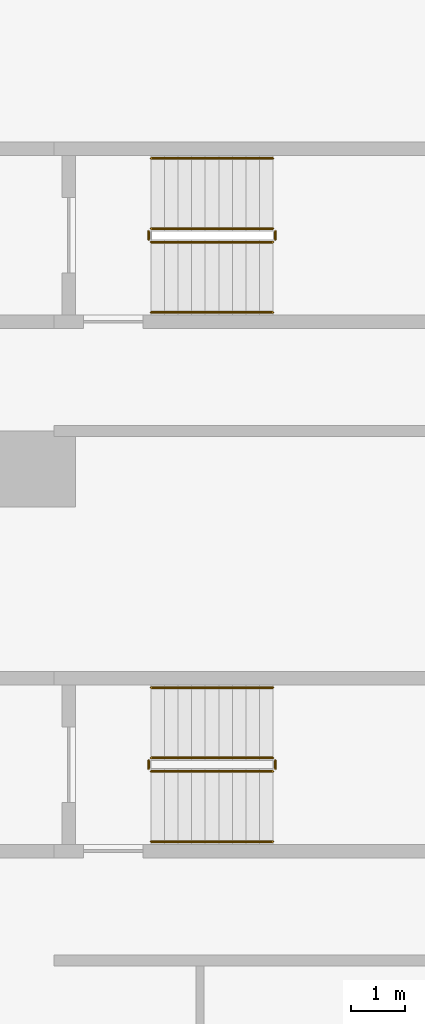
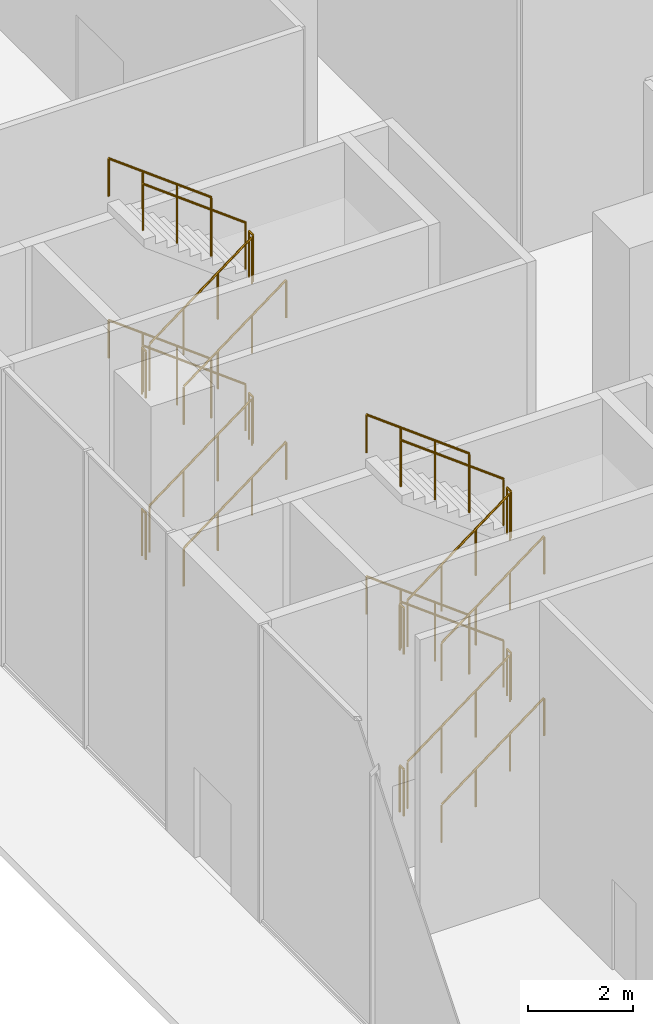
# One storey, part 22 of 26: 24 railings.
"""IFC4 building model written with IfcOpenShell, lengths in metres."""

from ifc_helpers import new_model, si_unit, direction, frame, origin, origin_2d, place, context, subcontext, project, spatial, circle, extrude, source, transform, mapped, material, type_object, element, save


model = new_model("IFC4")

# Units and contexts
model_context = context("Model", 3, precision=1e-05, world=origin(), true_north=direction((0.0, 1.0)))
body_context = subcontext(model_context, "Body", "Model", "MODEL_VIEW")
ifc_project = project(units=[si_unit("LENGTHUNIT", "METRE"), si_unit("AREAUNIT", "SQUARE_METRE"), si_unit("VOLUMEUNIT", "CUBIC_METRE"), si_unit("PLANEANGLEUNIT", "RADIAN"), si_unit("MASSUNIT", "GRAM", prefix="KILO")], contexts=[model_context])

# Site, building, storey
site_placement = place(None, origin())
site = spatial("IfcSite", under=ifc_project, at=site_placement, CompositionType="ELEMENT")
building_placement = place(site_placement, origin())
building = spatial("IfcBuilding", under=site, at=building_placement, Name="Aurelian Terraces", CompositionType="ELEMENT")
storey_placement = place(building_placement, origin())
storey = spatial("IfcBuildingStorey", under=building, at=storey_placement, Name="L00", CompositionType="ELEMENT", Elevation=0.0)

# Railings
ifc_material = material(Name="Stainless steel", Category="steel")
railing_type_1 = type_object("IfcRailingType", Name="Stair guard 1100", PredefinedType="GUARDRAIL", material=ifc_material)
railing_1_placement = place(storey_placement, frame((2.1, 42.0, 0.1875)))
element("IfcRailing", 1, at=railing_1_placement, inside=storey, type_object=railing_type_1, Name="L00 S3 stair guard 1", PredefinedType="GUARDRAIL", context=body_context, shape_type="SweptSolid", body=[
    extrude(circle(Radius=0.024, at=origin_2d()), frame((0.0, 0.0, 1.076), z_axis=(0.8, 0.0, 0.6), x_axis=(0.0, 1.0, 0.0)), (0.0, 0.0, 1.0), 2.8125),
    extrude(circle(Radius=0.021, at=origin_2d()), origin(), (0.0, 0.0, 1.0), 1.052),
    extrude(circle(Radius=0.021, at=origin_2d()), frame((0.75, 0.0, 0.5625)), (0.0, 0.0, 1.0), 1.052),
    extrude(circle(Radius=0.021, at=origin_2d()), frame((1.5, 0.0, 1.125)), (0.0, 0.0, 1.0), 1.052),
    extrude(circle(Radius=0.021, at=origin_2d()), frame((2.25, 0.0, 1.6875)), (0.0, 0.0, 1.0), 1.052),
])
railing_2_placement = place(storey_placement, frame((4.35, 42.25, 2.0625)))
element("IfcRailing", 2, at=railing_2_placement, inside=storey, type_object=railing_type_1, Name="L00 S3 stair guard 3", PredefinedType="GUARDRAIL", context=body_context, shape_type="SweptSolid", body=[
    extrude(circle(Radius=0.024, at=origin_2d()), frame((0.0, 0.0, 1.076), z_axis=(-0.8, 0.0, 0.6), x_axis=(0.0, -1.0, 0.0)), (0.0, 0.0, 1.0), 2.8125),
    extrude(circle(Radius=0.021, at=origin_2d()), origin(), (0.0, 0.0, 1.0), 1.052),
    extrude(circle(Radius=0.021, at=origin_2d()), frame((-0.75, 0.0, 0.5625)), (0.0, 0.0, 1.0), 1.052),
    extrude(circle(Radius=0.021, at=origin_2d()), frame((-1.5, 0.0, 1.125)), (0.0, 0.0, 1.0), 1.052),
    extrude(circle(Radius=0.021, at=origin_2d()), frame((-2.25, 0.0, 1.6875)), (0.0, 0.0, 1.0), 1.052),
])
railing_type_2 = type_object("IfcRailingType", Name="Stair handrail", PredefinedType="HANDRAIL", material=ifc_material)
railing_3_placement = place(storey_placement, frame((2.1, 40.7, 0.1875)))
element("IfcRailing", 3, at=railing_3_placement, inside=storey, type_object=railing_type_2, Name="L00 S3 stair handrail 1", PredefinedType="HANDRAIL", context=body_context, shape_type="SweptSolid", body=[
    extrude(circle(Radius=0.024, at=origin_2d()), frame((0.0, 0.0, 0.876), z_axis=(0.8, 0.0, 0.6), x_axis=(0.0, 1.0, 0.0)), (0.0, 0.0, 1.0), 2.8125),
    extrude(circle(Radius=0.021, at=origin_2d()), origin(), (0.0, 0.0, 1.0), 0.852),
    extrude(circle(Radius=0.021, at=origin_2d()), frame((0.75, 0.0, 0.5625)), (0.0, 0.0, 1.0), 0.852),
    extrude(circle(Radius=0.021, at=origin_2d()), frame((1.5, 0.0, 1.125)), (0.0, 0.0, 1.0), 0.852),
    extrude(circle(Radius=0.021, at=origin_2d()), frame((2.25, 0.0, 1.6875)), (0.0, 0.0, 1.0), 0.852),
])
railing_4_placement = place(storey_placement, frame((4.35, 43.55, 2.0625)))
element("IfcRailing", 4, at=railing_4_placement, inside=storey, type_object=railing_type_2, Name="L00 S3 stair handrail 2", PredefinedType="HANDRAIL", context=body_context, shape_type="SweptSolid", body=[
    extrude(circle(Radius=0.024, at=origin_2d()), frame((0.0, 0.0, 0.876), z_axis=(-0.8, 0.0, 0.6), x_axis=(0.0, -1.0, 0.0)), (0.0, 0.0, 1.0), 2.8125),
    extrude(circle(Radius=0.021, at=origin_2d()), origin(), (0.0, 0.0, 1.0), 0.852),
    extrude(circle(Radius=0.021, at=origin_2d()), frame((-0.75, 0.0, 0.5625)), (0.0, 0.0, 1.0), 0.852),
    extrude(circle(Radius=0.021, at=origin_2d()), frame((-1.5, 0.0, 1.125)), (0.0, 0.0, 1.0), 0.852),
    extrude(circle(Radius=0.021, at=origin_2d()), frame((-2.25, 0.0, 1.6875)), (0.0, 0.0, 1.0), 0.852),
])
shared_shape_1 = source(origin(), body_context, "Body", "SweptSolid", [
    extrude(circle(Radius=0.024, at=origin_2d()), frame((0.0, 0.0, 1.076), z_axis=(0.0, 1.0, 0.0), x_axis=(-1.0, 0.0, 0.0)), (0.0, 0.0, 1.0), 0.15),
    extrude(circle(Radius=0.021, at=origin_2d()), origin(), (0.0, 0.0, 1.0), 1.052),
    extrude(circle(Radius=0.021, at=origin_2d()), frame((0.0, 0.15, 0.0)), (0.0, 0.0, 1.0), 1.052),
])
for number, where, name in (
    (5, (4.4, 42.05, 1.875), "L00 S3 stair guard 2"),
    (6, (2.05, 42.05, 3.75), "L00 S3 stair guard 4"),
    (7, (4.4, 42.05, 5.625), "L00 S3 stair guard 6"),
    (8, (2.05, 42.05, 0.0), "L00 S3 stair guard 8"),
    (9, (4.4, 32.25, 1.875), "L00 S4 stair guard 2"),
    (10, (2.05, 32.25, 3.75), "L00 S4 stair guard 4"),
    (11, (4.4, 32.25, 5.625), "L00 S4 stair guard 6"),
    (12, (2.05, 32.25, 0.0), "L00 S4 stair guard 8"),
):
    element("IfcRailing", number, at=place(storey_placement, frame(where)), inside=storey, type_object=railing_type_1, Name=name, PredefinedType="GUARDRAIL", context=body_context, shape_type="MappedRepresentation", body=[
        mapped(shared_shape_1, transform((0.0, 0.0, 0.0), scale=1.0)),
    ])
shared_shape_2 = source(origin(), body_context, "Body", "SweptSolid", [
    extrude(circle(Radius=0.024, at=origin_2d()), frame((0.0, 0.0, 1.076), z_axis=(0.8, 0.0, 0.6), x_axis=(0.0, 1.0, 0.0)), (0.0, 0.0, 1.0), 2.8125),
    extrude(circle(Radius=0.021, at=origin_2d()), origin(), (0.0, 0.0, 1.0), 1.052),
    extrude(circle(Radius=0.021, at=origin_2d()), frame((0.75, 0.0, 0.5625)), (0.0, 0.0, 1.0), 1.052),
    extrude(circle(Radius=0.021, at=origin_2d()), frame((1.5, 0.0, 1.125)), (0.0, 0.0, 1.0), 1.052),
    extrude(circle(Radius=0.021, at=origin_2d()), frame((2.25, 0.0, 1.6875)), (0.0, 0.0, 1.0), 1.052),
])
for number, where, name in (
    (13, (2.1, 42.0, 3.9375), "L00 S3 stair guard 5"),
    (14, (2.1, 32.2, 0.1875), "L00 S4 stair guard 1"),
    (15, (2.1, 32.2, 3.9375), "L00 S4 stair guard 5"),
):
    element("IfcRailing", number, at=place(storey_placement, frame(where)), inside=storey, type_object=railing_type_1, Name=name, PredefinedType="GUARDRAIL", context=body_context, shape_type="MappedRepresentation", body=[
        mapped(shared_shape_2, transform((0.0, 0.0, 0.0), scale=1.0)),
    ])
shared_shape_3 = source(origin(), body_context, "Body", "SweptSolid", [
    extrude(circle(Radius=0.024, at=origin_2d()), frame((0.0, 0.0, 1.076), z_axis=(-0.8, 0.0, 0.6), x_axis=(0.0, -1.0, 0.0)), (0.0, 0.0, 1.0), 2.8125),
    extrude(circle(Radius=0.021, at=origin_2d()), origin(), (0.0, 0.0, 1.0), 1.052),
    extrude(circle(Radius=0.021, at=origin_2d()), frame((-0.75, 0.0, 0.5625)), (0.0, 0.0, 1.0), 1.052),
    extrude(circle(Radius=0.021, at=origin_2d()), frame((-1.5, 0.0, 1.125)), (0.0, 0.0, 1.0), 1.052),
    extrude(circle(Radius=0.021, at=origin_2d()), frame((-2.25, 0.0, 1.6875)), (0.0, 0.0, 1.0), 1.052),
])
for number, where, name in (
    (16, (4.35, 42.25, 5.8125), "L00 S3 stair guard 7"),
    (17, (4.35, 32.45, 2.0625), "L00 S4 stair guard 3"),
    (18, (4.35, 32.45, 5.8125), "L00 S4 stair guard 7"),
):
    element("IfcRailing", number, at=place(storey_placement, frame(where)), inside=storey, type_object=railing_type_1, Name=name, PredefinedType="GUARDRAIL", context=body_context, shape_type="MappedRepresentation", body=[
        mapped(shared_shape_3, transform((0.0, 0.0, 0.0), scale=1.0)),
    ])
shared_shape_4 = source(origin(), body_context, "Body", "SweptSolid", [
    extrude(circle(Radius=0.024, at=origin_2d()), frame((0.0, 0.0, 0.876), z_axis=(0.8, 0.0, 0.6), x_axis=(0.0, 1.0, 0.0)), (0.0, 0.0, 1.0), 2.8125),
    extrude(circle(Radius=0.021, at=origin_2d()), origin(), (0.0, 0.0, 1.0), 0.852),
    extrude(circle(Radius=0.021, at=origin_2d()), frame((0.75, 0.0, 0.5625)), (0.0, 0.0, 1.0), 0.852),
    extrude(circle(Radius=0.021, at=origin_2d()), frame((1.5, 0.0, 1.125)), (0.0, 0.0, 1.0), 0.852),
    extrude(circle(Radius=0.021, at=origin_2d()), frame((2.25, 0.0, 1.6875)), (0.0, 0.0, 1.0), 0.852),
])
for number, where, name in (
    (19, (2.1, 40.7, 3.9375), "L00 S3 stair handrail 3"),
    (20, (2.1, 30.9, 0.1875), "L00 S4 stair handrail 1"),
    (21, (2.1, 30.9, 3.9375), "L00 S4 stair handrail 3"),
):
    element("IfcRailing", number, at=place(storey_placement, frame(where)), inside=storey, type_object=railing_type_2, Name=name, PredefinedType="HANDRAIL", context=body_context, shape_type="MappedRepresentation", body=[
        mapped(shared_shape_4, transform((0.0, 0.0, 0.0), scale=1.0)),
    ])
shared_shape_5 = source(origin(), body_context, "Body", "SweptSolid", [
    extrude(circle(Radius=0.024, at=origin_2d()), frame((0.0, 0.0, 0.876), z_axis=(-0.8, 0.0, 0.6), x_axis=(0.0, -1.0, 0.0)), (0.0, 0.0, 1.0), 2.8125),
    extrude(circle(Radius=0.021, at=origin_2d()), origin(), (0.0, 0.0, 1.0), 0.852),
    extrude(circle(Radius=0.021, at=origin_2d()), frame((-0.75, 0.0, 0.5625)), (0.0, 0.0, 1.0), 0.852),
    extrude(circle(Radius=0.021, at=origin_2d()), frame((-1.5, 0.0, 1.125)), (0.0, 0.0, 1.0), 0.852),
    extrude(circle(Radius=0.021, at=origin_2d()), frame((-2.25, 0.0, 1.6875)), (0.0, 0.0, 1.0), 0.852),
])
for number, where, name in (
    (22, (4.35, 43.55, 5.8125), "L00 S3 stair handrail 4"),
    (23, (4.35, 33.75, 2.0625), "L00 S4 stair handrail 2"),
    (24, (4.35, 33.75, 5.8125), "L00 S4 stair handrail 4"),
):
    element("IfcRailing", number, at=place(storey_placement, frame(where)), inside=storey, type_object=railing_type_2, Name=name, PredefinedType="HANDRAIL", context=body_context, shape_type="MappedRepresentation", body=[
        mapped(shared_shape_5, transform((0.0, 0.0, 0.0), scale=1.0)),
    ])

save(model, "model.ifc")
